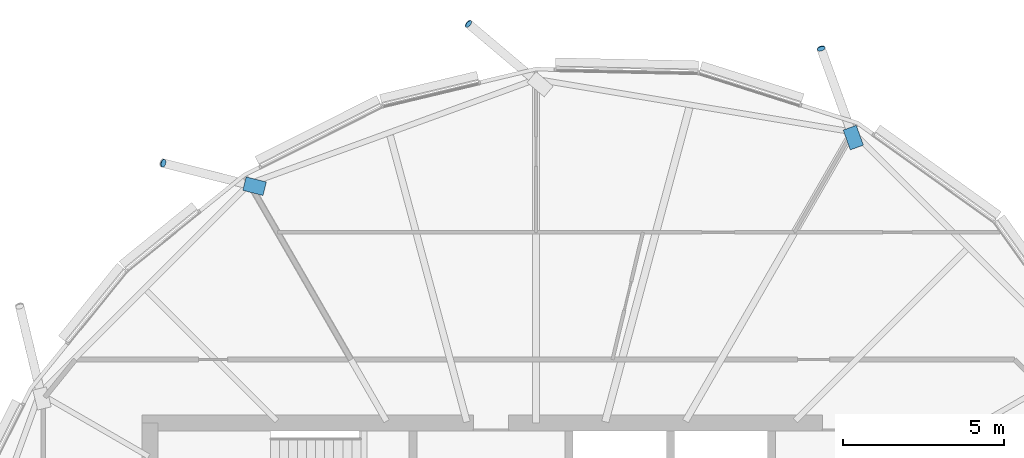
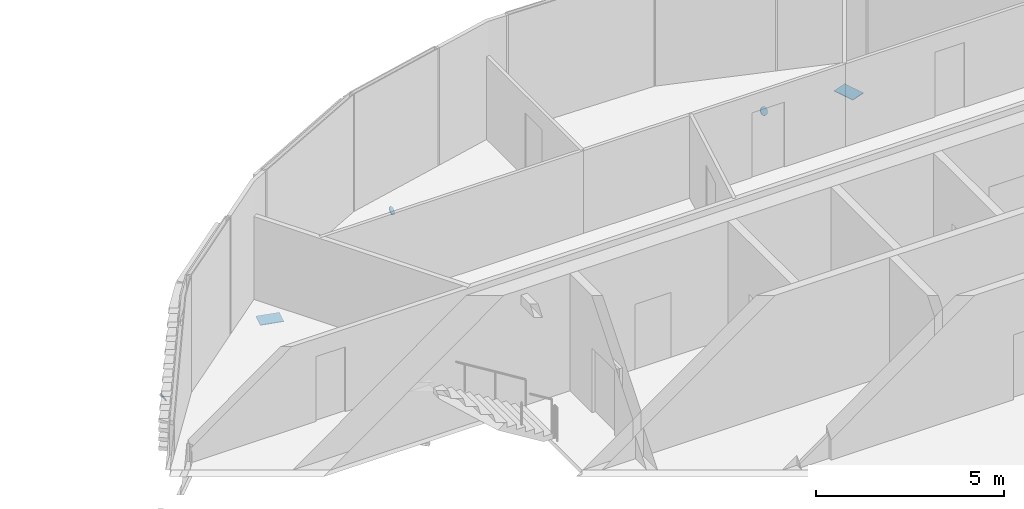
# One storey, part 29 of 34: 5 discrete accessories.
"""IFC4 building model written with IfcOpenShell, lengths in metres."""

from ifc_helpers import new_model, si_unit, direction, frame, origin, origin_2d, place, context, subcontext, project, spatial, polyline, rectangle, circle, outline, extrude, material, material_profile, profile_set, type_object, element, save


model = new_model("IFC4")

# Units and contexts
model_context = context("Model", 3, precision=1e-05, world=origin(), true_north=direction((0.0, 1.0)))
body_context = subcontext(model_context, "Body", "Model", "MODEL_VIEW")
ifc_project = project(units=[si_unit("LENGTHUNIT", "METRE"), si_unit("AREAUNIT", "SQUARE_METRE"), si_unit("VOLUMEUNIT", "CUBIC_METRE"), si_unit("PLANEANGLEUNIT", "RADIAN"), si_unit("MASSUNIT", "GRAM", prefix="KILO")], contexts=[model_context])

# Site, building, storey
site_placement = place(None, origin())
site = spatial("IfcSite", under=ifc_project, at=site_placement, CompositionType="ELEMENT")
building_placement = place(site_placement, origin())
building = spatial("IfcBuilding", under=site, at=building_placement, Name="Rimbun Link Towers", CompositionType="ELEMENT")
storey_placement = place(building_placement, frame((0.0, 0.0, 252.300048828125)))
storey = spatial("IfcBuildingStorey", under=building, at=storey_placement, Name="L62", CompositionType="ELEMENT", Elevation=252.300048828125)

# Discrete accessories
ifc_material_1 = material(Name="Steel S355J2H", Category="steel")
ifc_material_profile_1 = material_profile(ifc_material_1, circle(Radius=0.1240234375, at=origin_2d()), Name="PL D248")
ifc_profile_set_1 = profile_set([ifc_material_profile_1], Name="Steel S355J2H")
discrete_accessory_type_1 = type_object("IfcDiscreteAccessoryType", Name="Link foot sealing plate D248X20", PredefinedType="BRACKET", material=ifc_profile_set_1)
for number, where, z_axis, x_axis, name in (
    (1, (40.6162109375, 19.630126953125, -2.6279296875), (-0.293272331791, 0.782059551443, -0.549885622109), (-0.936329177569, -0.351123441588, 0.0), "Link foot sealing plate T2 L62 01"),
    (2, (29.65478515625, 20.400390625, -2.478759765625), (-0.659075907382, 0.561435032214, -0.500409485234), (-0.6484664556, -0.761243230487, 0.0), "Link foot sealing plate T2 L62 03"),
    (3, (20.1650390625, 16.072265625, -2.57958984375), (-0.802672654344, 0.206749017028, -0.559438516664), (-0.249434236033, -0.968391739894, 0.0), "Link foot sealing plate T2 L62 05"),
):
    element("IfcDiscreteAccessory", number, at=place(storey_placement, frame(where, z_axis=z_axis, x_axis=x_axis)), inside=storey, type_object=discrete_accessory_type_1, Name=name, PredefinedType="BRACKET", context=body_context, shape_type="SweptSolid", body=[
        extrude(circle(Radius=0.1240234375, at=origin_2d()), origin(), (0.0, 0.0, 1.0), 0.02001953125),
    ])
ifc_material_2 = material(Name="Steel S355J2H", Category="steel")
ifc_material_profile_2 = material_profile(ifc_material_2, rectangle(XDim=0.43310546875, YDim=0.43310546875, at=origin_2d()), Name="PL 433x433")
ifc_profile_set_2 = profile_set([ifc_material_profile_2], Name="Steel S355J2H")
discrete_accessory_type_2 = type_object("IfcDiscreteAccessoryType", Name="Link head end plate 433X20", PredefinedType="BRACKET", material=ifc_profile_set_2)
discrete_accessory_1_placement = place(storey_placement, frame((0.0, 0.0, -0.693115234375)))
element("IfcDiscreteAccessory", 4, at=discrete_accessory_1_placement, inside=storey, type_object=discrete_accessory_type_2, Name="Link head end plate T2 L62 01", PredefinedType="BRACKET", context=body_context, shape_type="SweptSolid", body=[
    extrude(outline(polyline([(41.93017578125, 16.63330078125), (41.706787109375, 17.250244140625), (41.2998046875, 17.10302734375), (41.52294921875, 16.48583984375), (41.93017578125, 16.63330078125)])), origin(), (0.0, 0.0, 1.0), 0.02001953125),
])
discrete_accessory_2_placement = place(storey_placement, frame((0.0, 0.0, -0.613525390625)))
element("IfcDiscreteAccessory", 5, at=discrete_accessory_2_placement, inside=storey, type_object=discrete_accessory_type_2, Name="Link head end plate T2 L62 05", PredefinedType="BRACKET", context=body_context, shape_type="SweptSolid", body=[
    extrude(outline(polyline([(23.365234375, 15.489013671875), (22.736083984375, 15.647705078125), (22.630126953125, 15.227783203125), (23.259521484375, 15.069091796875), (23.365234375, 15.489013671875)])), origin(), (0.0, 0.0, 1.0), 0.02001953125),
])

save(model, "model.ifc")
